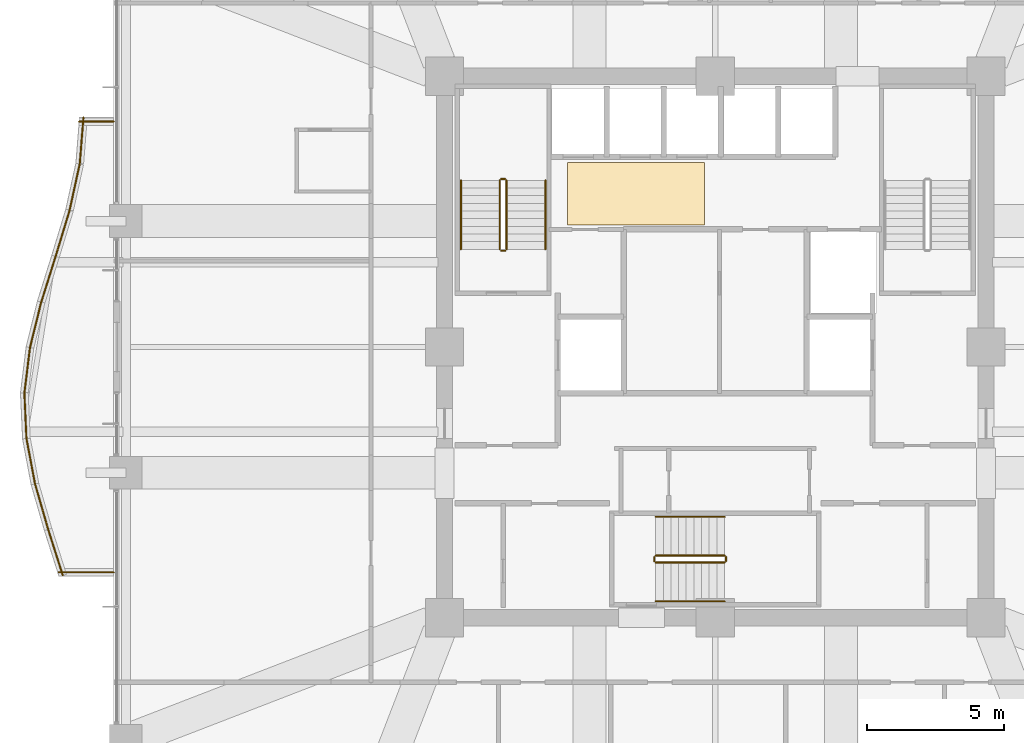
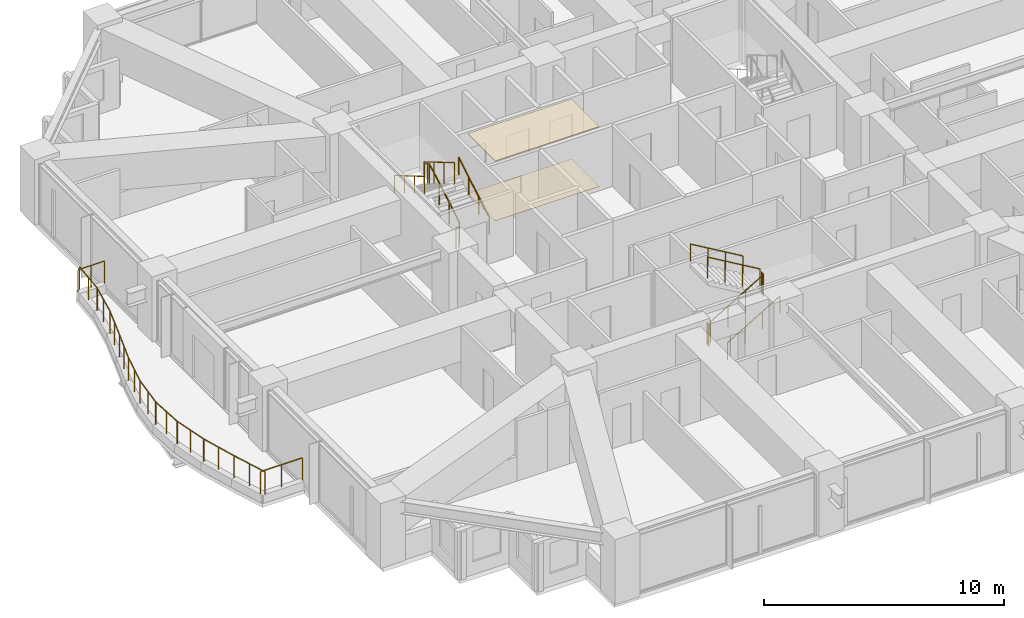
# One storey, part 38 of 39: 24 railings, 2 coverings.
"""IFC4 building model written with IfcOpenShell, lengths in metres."""

from ifc_helpers import new_model, si_unit, direction, frame, origin, origin_2d, place, context, subcontext, project, spatial, polyline, circle, outline, extrude, material, layer, layer_set, type_object, element, save


model = new_model("IFC4")

# Units and contexts
model_context = context("Model", 3, precision=1e-05, world=origin(), true_north=direction((0.0, 1.0)))
body_context = subcontext(model_context, "Body", "Model", "MODEL_VIEW")
ifc_project = project(units=[si_unit("LENGTHUNIT", "METRE"), si_unit("AREAUNIT", "SQUARE_METRE"), si_unit("VOLUMEUNIT", "CUBIC_METRE"), si_unit("PLANEANGLEUNIT", "RADIAN"), si_unit("MASSUNIT", "GRAM", prefix="KILO")], contexts=[model_context])

# Site, building, storey
site_placement = place(None, origin())
site = spatial("IfcSite", under=ifc_project, at=site_placement, CompositionType="ELEMENT")
building_placement = place(site_placement, origin())
building = spatial("IfcBuilding", under=site, at=building_placement, Name="Kolvaren Belvedere", CompositionType="ELEMENT")
storey_placement = place(building_placement, frame((0.0, 0.0, 40.300048828125)))
storey = spatial("IfcBuildingStorey", under=building, at=storey_placement, Name="L11", CompositionType="ELEMENT", Elevation=40.300048828125)

# Coverings
ifc_material_1 = material(Name="Acoustic perforated gypsum board", Category="gypsum")
ifc_layer_1 = layer(ifc_material_1, 0.02490234375)
ifc_layer_set_1 = layer_set([ifc_layer_1], Name="Acoustic perforated gypsum board")
covering_type_1 = type_object("IfcCoveringType", Name="COV-CEIL-GYP", PredefinedType="CEILING", material=ifc_layer_set_1)
covering_1_placement = place(storey_placement, frame((0.0, 0.0, 3.034912109375)))
element("IfcCovering", 1, at=covering_1_placement, inside=storey, type_object=covering_type_1, Name="L11 Lift Lobby Acoustic Baffle Ceiling", PredefinedType="CEILING", context=body_context, shape_type="SweptSolid", body=[
    extrude(outline(polyline([(-5.39990234375, 4.449951171875), (-0.39990234375, 4.449951171875), (-0.39990234375, 6.75), (-5.39990234375, 6.75), (-5.39990234375, 4.449951171875)])), origin(), (0.0, 0.0, 1.0), 0.025146484375),
])
ifc_material_2 = material(Name="Engineered Pacific white oak", Category="timber")
ifc_layer_2 = layer(ifc_material_2, 0.02001953125)
ifc_layer_set_2 = layer_set([ifc_layer_2], Name="Engineered Pacific white oak")
covering_type_2 = type_object("IfcCoveringType", Name="COV-FLR-OAK", PredefinedType="FLOORING", material=ifc_layer_set_2)
covering_2_placement = place(storey_placement, origin())
element("IfcCovering", 2, at=covering_2_placement, inside=storey, type_object=covering_type_2, Name="L11 Lift Lobby Finish Flooring", PredefinedType="FLOORING", context=body_context, shape_type="SweptSolid", body=[
    extrude(outline(polyline([(-5.39990234375, 4.449951171875), (-0.39990234375, 4.449951171875), (-0.39990234375, 6.75), (-5.39990234375, 6.75), (-5.39990234375, 4.449951171875)])), origin(), (0.0, 0.0, 1.0), 0.02001953125),
])

# Railings
ifc_material_3 = material(Name="Anodised pale-metal aluminium & laminated glass guard", Category="aluminium")
railing_type_1 = type_object("IfcRailingType", Name="RL-GUARD-1150", PredefinedType="GUARDRAIL", material=ifc_material_3)
railing_1_placement = place(storey_placement, frame((-23.1005859375, 8.38720703125, 0.35986328125)))
element("IfcRailing", 3, at=railing_1_placement, inside=storey, type_object=railing_type_1, Name="L11 Exterior Deck Safety Guard BAL-W-1", PredefinedType="GUARDRAIL", context=body_context, shape_type="SweptSolid", body=[
    extrude(circle(Radius=0.02392578125, at=origin_2d()), frame((0.0, 0.0, 1.1259765625), z_axis=(-0.079244268248, -0.99685522818, 0.0), x_axis=(0.99685522818, -0.079244268248, 0.0)), (0.0, 0.0, 1.0), 1.685302734375),
    extrude(circle(Radius=0.02099609375, at=origin_2d()), origin(), (0.0, 0.0, 1.0), 1.101806640625),
    extrude(circle(Radius=0.02099609375, at=origin_2d()), frame((-0.06689453125, -0.83984375, 0.0)), (0.0, 0.0, 1.0), 1.101806640625),
    extrude(circle(Radius=0.02099609375, at=origin_2d()), frame((-0.133544921875, -1.679931640625, 0.0)), (0.0, 0.0, 1.0), 1.101806640625),
])
railing_2_placement = place(storey_placement, frame((-23.2373046875, 6.685791015625, 0.35986328125)))
element("IfcRailing", 4, at=railing_2_placement, inside=storey, type_object=railing_type_1, Name="L11 Exterior Deck Safety Guard BAL-W-2", PredefinedType="GUARDRAIL", context=body_context, shape_type="SweptSolid", body=[
    extrude(circle(Radius=0.02392578125, at=origin_2d()), frame((0.0, 0.0, 1.1259765625), z_axis=(-0.213802724545, -0.976876857632, 0.0), x_axis=(0.976876857632, -0.213802724545, 0.0)), (0.0, 0.0, 1.0), 1.7197265625),
    extrude(circle(Radius=0.02099609375, at=origin_2d()), origin(), (0.0, 0.0, 1.0), 1.101806640625),
    extrude(circle(Radius=0.02099609375, at=origin_2d()), frame((-0.183837890625, -0.83984375, 0.0)), (0.0, 0.0, 1.0), 1.101806640625),
    extrude(circle(Radius=0.02099609375, at=origin_2d()), frame((-0.36767578125, -1.679931640625, 0.0)), (0.0, 0.0, 1.0), 1.101806640625),
])
railing_3_placement = place(storey_placement, frame((-23.608154296875, 4.993408203125, 0.35986328125)))
element("IfcRailing", 5, at=railing_3_placement, inside=storey, type_object=railing_type_1, Name="L11 Exterior Deck Safety Guard BAL-W-3", PredefinedType="GUARDRAIL", context=body_context, shape_type="SweptSolid", body=[
    extrude(circle(Radius=0.02392578125, at=origin_2d()), frame((0.0, 0.0, 1.1259765625), z_axis=(-0.291006697567, -0.956721015747, 0.0), x_axis=(0.956721015747, -0.291006697567, 0.0)), (0.0, 0.0, 1.0), 1.755859375),
    extrude(circle(Radius=0.02099609375, at=origin_2d()), origin(), (0.0, 0.0, 1.0), 1.101806640625),
    extrude(circle(Radius=0.02099609375, at=origin_2d()), frame((-0.25537109375, -0.83984375, 0.0)), (0.0, 0.0, 1.0), 1.101806640625),
    extrude(circle(Radius=0.02099609375, at=origin_2d()), frame((-0.510986328125, -1.679931640625, 0.0)), (0.0, 0.0, 1.0), 1.101806640625),
])
railing_4_placement = place(storey_placement, frame((-24.11962890625, 3.31201171875, 0.35986328125)))
element("IfcRailing", 6, at=railing_4_placement, inside=storey, type_object=railing_type_1, Name="L11 Exterior Deck Safety Guard BAL-W-4", PredefinedType="GUARDRAIL", context=body_context, shape_type="SweptSolid", body=[
    extrude(circle(Radius=0.02392578125, at=origin_2d()), frame((0.0, 0.0, 1.1259765625), z_axis=(-0.299624691176, -0.954057149461, 0.0), x_axis=(0.954057149461, -0.299624691176, 0.0)), (0.0, 0.0, 1.0), 1.7607421875),
    extrude(circle(Radius=0.02099609375, at=origin_2d()), origin(), (0.0, 0.0, 1.0), 1.101806640625),
    extrude(circle(Radius=0.02099609375, at=origin_2d()), frame((-0.263671875, -0.83984375, 0.0)), (0.0, 0.0, 1.0), 1.101806640625),
    extrude(circle(Radius=0.02099609375, at=origin_2d()), frame((-0.527587890625, -1.679931640625, 0.0)), (0.0, 0.0, 1.0), 1.101806640625),
])
railing_5_placement = place(storey_placement, frame((-24.644287109375, 1.6416015625, 0.35986328125)))
element("IfcRailing", 7, at=railing_5_placement, inside=storey, type_object=railing_type_1, Name="L11 Exterior Deck Safety Guard BAL-W-5", PredefinedType="GUARDRAIL", context=body_context, shape_type="SweptSolid", body=[
    extrude(circle(Radius=0.02392578125, at=origin_2d()), frame((0.0, 0.0, 1.1259765625), z_axis=(-0.23931377861, -0.970942282202, 0.0), x_axis=(0.970942282202, -0.23931377861, 0.0)), (0.0, 0.0, 1.0), 1.730224609375),
    extrude(circle(Radius=0.02099609375, at=origin_2d()), origin(), (0.0, 0.0, 1.0), 1.101806640625),
    extrude(circle(Radius=0.02099609375, at=origin_2d()), frame((-0.20703125, -0.83984375, 0.0)), (0.0, 0.0, 1.0), 1.101806640625),
    extrude(circle(Radius=0.02099609375, at=origin_2d()), frame((-0.4140625, -1.679931640625, 0.0)), (0.0, 0.0, 1.0), 1.101806640625),
])
railing_6_placement = place(storey_placement, frame((-25.054931640625, -0.01953125, 0.35986328125)))
element("IfcRailing", 8, at=railing_6_placement, inside=storey, type_object=railing_type_1, Name="L11 Exterior Deck Safety Guard BAL-W-6", PredefinedType="GUARDRAIL", context=body_context, shape_type="SweptSolid", body=[
    extrude(circle(Radius=0.02392578125, at=origin_2d()), frame((0.0, 0.0, 1.1259765625), z_axis=(-0.121886315522, -0.99254406758, 0.0), x_axis=(0.99254406758, -0.121886315522, 0.0)), (0.0, 0.0, 1.0), 1.692626953125),
    extrude(circle(Radius=0.02099609375, at=origin_2d()), origin(), (0.0, 0.0, 1.0), 1.101806640625),
    extrude(circle(Radius=0.02099609375, at=origin_2d()), frame((-0.10302734375, -0.83984375, 0.0)), (0.0, 0.0, 1.0), 1.101806640625),
    extrude(circle(Radius=0.02099609375, at=origin_2d()), frame((-0.206298828125, -1.679931640625, 0.0)), (0.0, 0.0, 1.0), 1.101806640625),
])
railing_7_placement = place(storey_placement, frame((-25.26025390625, -1.6728515625, 0.35986328125)))
element("IfcRailing", 9, at=railing_7_placement, inside=storey, type_object=railing_type_1, Name="L11 Exterior Deck Safety Guard BAL-W-7", PredefinedType="GUARDRAIL", context=body_context, shape_type="SweptSolid", body=[
    extrude(circle(Radius=0.02392578125, at=origin_2d()), frame((0.0, 0.0, 1.1259765625), z_axis=(0.045150826395, -0.998980181423, 0.0), x_axis=(0.998980181423, 0.045150826395, 0.0)), (0.0, 0.0, 1.0), 1.681640625),
    extrude(circle(Radius=0.02099609375, at=origin_2d()), origin(), (0.0, 0.0, 1.0), 1.101806640625),
    extrude(circle(Radius=0.02099609375, at=origin_2d()), frame((0.0380859375, -0.83984375, 0.0)), (0.0, 0.0, 1.0), 1.101806640625),
    extrude(circle(Radius=0.02099609375, at=origin_2d()), frame((0.075927734375, -1.679931640625, 0.0)), (0.0, 0.0, 1.0), 1.101806640625),
])
railing_8_placement = place(storey_placement, frame((-25.18701171875, -3.330322265625, 0.35986328125)))
element("IfcRailing", 10, at=railing_8_placement, inside=storey, type_object=railing_type_1, Name="L11 Exterior Deck Safety Guard BAL-W-8", PredefinedType="GUARDRAIL", context=body_context, shape_type="SweptSolid", body=[
    extrude(circle(Radius=0.02392578125, at=origin_2d()), frame((0.0, 0.0, 1.1259765625), z_axis=(0.184788595231, -0.982778293957, 0.0), x_axis=(0.982778293957, 0.184788595231, 0.0)), (0.0, 0.0, 1.0), 1.709716796875),
    extrude(circle(Radius=0.02099609375, at=origin_2d()), origin(), (0.0, 0.0, 1.0), 1.101806640625),
    extrude(circle(Radius=0.02099609375, at=origin_2d()), frame((0.157958984375, -0.840087890625, 0.0)), (0.0, 0.0, 1.0), 1.101806640625),
    extrude(circle(Radius=0.02099609375, at=origin_2d()), frame((0.31591796875, -1.68017578125, 0.0)), (0.0, 0.0, 1.0), 1.101806640625),
])
railing_9_placement = place(storey_placement, frame((-24.874755859375, -4.99560546875, 0.35986328125)))
element("IfcRailing", 11, at=railing_9_placement, inside=storey, type_object=railing_type_1, Name="L11 Exterior Deck Safety Guard BAL-W-9", PredefinedType="GUARDRAIL", context=body_context, shape_type="SweptSolid", body=[
    extrude(circle(Radius=0.02392578125, at=origin_2d()), frame((0.0, 0.0, 1.1259765625), z_axis=(0.277946215201, -0.96059663827, 0.0), x_axis=(0.96059663827, 0.277946215201, 0.0)), (0.0, 0.0, 1.0), 1.748779296875),
    extrude(circle(Radius=0.02099609375, at=origin_2d()), origin(), (0.0, 0.0, 1.0), 1.101806640625),
    extrude(circle(Radius=0.02099609375, at=origin_2d()), frame((0.2431640625, -0.83984375, 0.0)), (0.0, 0.0, 1.0), 1.101806640625),
    extrude(circle(Radius=0.02099609375, at=origin_2d()), frame((0.486083984375, -1.679931640625, 0.0)), (0.0, 0.0, 1.0), 1.101806640625),
])
railing_10_placement = place(storey_placement, frame((-24.389892578125, -6.67138671875, 0.35986328125)))
element("IfcRailing", 12, at=railing_10_placement, inside=storey, type_object=railing_type_1, Name="L11 Exterior Deck Safety Guard BAL-W-10", PredefinedType="GUARDRAIL", context=body_context, shape_type="SweptSolid", body=[
    extrude(circle(Radius=0.02392578125, at=origin_2d()), frame((0.0, 0.0, 1.1259765625), z_axis=(0.303906495014, -0.952701864325, 0.0), x_axis=(0.952701864325, 0.303906495014, 0.0)), (0.0, 0.0, 1.0), 1.763427734375),
    extrude(circle(Radius=0.02099609375, at=origin_2d()), origin(), (0.0, 0.0, 1.0), 1.101806640625),
    extrude(circle(Radius=0.02099609375, at=origin_2d()), frame((0.26806640625, -0.83984375, 0.0)), (0.0, 0.0, 1.0), 1.101806640625),
    extrude(circle(Radius=0.02099609375, at=origin_2d()), frame((0.535888671875, -1.679931640625, 0.0)), (0.0, 0.0, 1.0), 1.101806640625),
])
railing_11_placement = place(storey_placement, frame((-24.00634765625, -8.239990234375, 0.35986328125)))
element("IfcRailing", 13, at=railing_11_placement, inside=storey, type_object=railing_type_1, Name="L11 Exterior Deck Safety Guard BAL-W-11", PredefinedType="GUARDRAIL", context=body_context, shape_type="SweptSolid", body=[
    extrude(circle(Radius=0.02392578125, at=origin_2d()), frame((0.0, 0.0, 1.1259765625), z_axis=(1.0, 0.0, 0.0), x_axis=(0.0, 1.0, 0.0)), (0.0, 0.0, 1.0), 2.00634765625),
    extrude(circle(Radius=0.02099609375, at=origin_2d()), origin(), (0.0, 0.0, 1.0), 1.101806640625),
    extrude(circle(Radius=0.02099609375, at=origin_2d()), frame((1.003173828125, 0.0, 0.0)), (0.0, 0.0, 1.0), 1.101806640625),
    extrude(circle(Radius=0.02099609375, at=origin_2d()), frame((2.00634765625, 0.0, 0.0)), (0.0, 0.0, 1.0), 1.101806640625),
])
railing_12_placement = place(storey_placement, frame((-22.0, 8.239990234375, 0.35986328125)))
element("IfcRailing", 14, at=railing_12_placement, inside=storey, type_object=railing_type_1, Name="L11 Exterior Deck Safety Guard BAL-W-22", PredefinedType="GUARDRAIL", context=body_context, shape_type="SweptSolid", body=[
    extrude(circle(Radius=0.02392578125, at=origin_2d()), frame((0.0, 0.0, 1.1259765625), z_axis=(-1.0, 0.0, 0.0), x_axis=(0.0, -1.0, 0.0)), (0.0, 0.0, 1.0), 1.260009765625),
    extrude(circle(Radius=0.02099609375, at=origin_2d()), origin(), (0.0, 0.0, 1.0), 1.101806640625),
    extrude(circle(Radius=0.02099609375, at=origin_2d()), frame((-0.6298828125, 0.0, 0.0)), (0.0, 0.0, 1.0), 1.101806640625),
    extrude(circle(Radius=0.02099609375, at=origin_2d()), frame((-1.260009765625, 0.0, 0.0)), (0.0, 0.0, 1.0), 1.101806640625),
])
ifc_material_4 = material(Name="Brushed stainless-steel handrail", Category="steel")
railing_type_2 = type_object("IfcRailingType", Name="RL-HANDRAIL-920", PredefinedType="HANDRAIL", material=ifc_material_4)
railing_13_placement = place(storey_placement, frame((-6.2099609375, 3.570068359375, 0.1650390625)))
element("IfcRailing", 15, at=railing_13_placement, inside=storey, type_object=railing_type_2, Name="L11 ST-1 stair handrail 1", PredefinedType="HANDRAIL", context=body_context, shape_type="SweptSolid", body=[
    extrude(circle(Radius=0.02392578125, at=origin_2d()), frame((0.0, 0.0, 0.8759765625), z_axis=(0.0, 0.861560626758, 0.507654692109), x_axis=(-1.0, 0.0, 0.0)), (0.0, 0.0, 1.0), 2.925048828125),
    extrude(circle(Radius=0.02099609375, at=origin_2d()), origin(), (0.0, 0.0, 1.0), 0.851806640625),
    extrude(circle(Radius=0.02099609375, at=origin_2d()), frame((0.0, 0.840087890625, 0.494873046875)), (0.0, 0.0, 1.0), 0.851806640625),
    extrude(circle(Radius=0.02099609375, at=origin_2d()), frame((0.0, 1.679931640625, 0.989990234375)), (0.0, 0.0, 1.0), 0.851806640625),
    extrude(circle(Radius=0.02099609375, at=origin_2d()), frame((0.0, 2.52001953125, 1.48486328125)), (0.0, 0.0, 1.0), 0.851806640625),
])
railing_14_placement = place(storey_placement, frame((-9.300048828125, 6.090087890625, 1.81494140625)))
element("IfcRailing", 16, at=railing_14_placement, inside=storey, type_object=railing_type_2, Name="L11 ST-1 stair handrail 2", PredefinedType="HANDRAIL", context=body_context, shape_type="SweptSolid", body=[
    extrude(circle(Radius=0.02392578125, at=origin_2d()), frame((0.0, 0.0, 0.8759765625), z_axis=(0.0, -0.86152411907, 0.507716645641), x_axis=(1.0, 0.0, 0.0)), (0.0, 0.0, 1.0), 2.925048828125),
    extrude(circle(Radius=0.02099609375, at=origin_2d()), origin(), (0.0, 0.0, 1.0), 0.851806640625),
    extrude(circle(Radius=0.02099609375, at=origin_2d()), frame((0.0, -0.840087890625, 0.4951171875)), (0.0, 0.0, 1.0), 0.851806640625),
    extrude(circle(Radius=0.02099609375, at=origin_2d()), frame((0.0, -1.679931640625, 0.989990234375)), (0.0, 0.0, 1.0), 0.851806640625),
    extrude(circle(Radius=0.02099609375, at=origin_2d()), frame((0.0, -2.52001953125, 1.485107421875)), (0.0, 0.0, 1.0), 0.851806640625),
])
railing_15_placement = place(storey_placement, frame((-2.179931640625, -9.300048828125, 0.1650390625)))
element("IfcRailing", 17, at=railing_15_placement, inside=storey, type_object=railing_type_2, Name="L11 ST-3 stair handrail 1", PredefinedType="HANDRAIL", context=body_context, shape_type="SweptSolid", body=[
    extrude(circle(Radius=0.02392578125, at=origin_2d()), frame((0.0, 0.0, 0.8759765625), z_axis=(0.861560626758, 0.0, 0.507654692109), x_axis=(0.0, 1.0, 0.0)), (0.0, 0.0, 1.0), 2.925048828125),
    extrude(circle(Radius=0.02099609375, at=origin_2d()), origin(), (0.0, 0.0, 1.0), 0.851806640625),
    extrude(circle(Radius=0.02099609375, at=origin_2d()), frame((0.840087890625, 0.0, 0.494873046875)), (0.0, 0.0, 1.0), 0.851806640625),
    extrude(circle(Radius=0.02099609375, at=origin_2d()), frame((1.679931640625, 0.0, 0.989990234375)), (0.0, 0.0, 1.0), 0.851806640625),
    extrude(circle(Radius=0.02099609375, at=origin_2d()), frame((2.52001953125, 0.0, 1.48486328125)), (0.0, 0.0, 1.0), 0.851806640625),
])
railing_16_placement = place(storey_placement, frame((0.340087890625, -6.2099609375, 1.81494140625)))
element("IfcRailing", 18, at=railing_16_placement, inside=storey, type_object=railing_type_2, Name="L11 ST-3 stair handrail 2", PredefinedType="HANDRAIL", context=body_context, shape_type="SweptSolid", body=[
    extrude(circle(Radius=0.02392578125, at=origin_2d()), frame((0.0, 0.0, 0.8759765625), z_axis=(-0.86152411907, 0.0, 0.507716645641), x_axis=(0.0, -1.0, 0.0)), (0.0, 0.0, 1.0), 2.925048828125),
    extrude(circle(Radius=0.02099609375, at=origin_2d()), origin(), (0.0, 0.0, 1.0), 0.851806640625),
    extrude(circle(Radius=0.02099609375, at=origin_2d()), frame((-0.840087890625, 0.0, 0.4951171875)), (0.0, 0.0, 1.0), 0.851806640625),
    extrude(circle(Radius=0.02099609375, at=origin_2d()), frame((-1.679931640625, 0.0, 0.989990234375)), (0.0, 0.0, 1.0), 0.851806640625),
    extrude(circle(Radius=0.02099609375, at=origin_2d()), frame((-2.52001953125, 0.0, 1.485107421875)), (0.0, 0.0, 1.0), 0.851806640625),
])
ifc_material_5 = material(Name="Painted tubular steel stair guard", Category="steel")
railing_type_3 = type_object("IfcRailingType", Name="RL-STGUARD-1100", PredefinedType="GUARDRAIL", material=ifc_material_5)
railing_17_placement = place(storey_placement, frame((-7.6298828125, 3.570068359375, 0.1650390625)))
element("IfcRailing", 19, at=railing_17_placement, inside=storey, type_object=railing_type_3, Name="L11 ST-1 stair guard 1", PredefinedType="GUARDRAIL", context=body_context, shape_type="SweptSolid", body=[
    extrude(circle(Radius=0.02392578125, at=origin_2d()), frame((0.0, 0.0, 1.076171875), z_axis=(0.0, 0.861560626758, 0.507654692109), x_axis=(-1.0, 0.0, 0.0)), (0.0, 0.0, 1.0), 2.925048828125),
    extrude(circle(Radius=0.02099609375, at=origin_2d()), origin(), (0.0, 0.0, 1.0), 1.052001953125),
    extrude(circle(Radius=0.02099609375, at=origin_2d()), frame((0.0, 0.840087890625, 0.494873046875)), (0.0, 0.0, 1.0), 1.052001953125),
    extrude(circle(Radius=0.02099609375, at=origin_2d()), frame((0.0, 1.679931640625, 0.989990234375)), (0.0, 0.0, 1.0), 1.052001953125),
    extrude(circle(Radius=0.02099609375, at=origin_2d()), frame((0.0, 2.52001953125, 1.48486328125)), (0.0, 0.0, 1.0), 1.052001953125),
])
railing_18_placement = place(storey_placement, frame((-7.679931640625, 6.139892578125, 1.64990234375)))
element("IfcRailing", 20, at=railing_18_placement, inside=storey, type_object=railing_type_3, Name="L11 ST-1 stair guard 2", PredefinedType="GUARDRAIL", context=body_context, shape_type="SweptSolid", body=[
    extrude(circle(Radius=0.02392578125, at=origin_2d()), frame((0.0, 0.0, 1.076171875), z_axis=(-1.0, 0.0, 0.0), x_axis=(0.0, -1.0, 0.0)), (0.0, 0.0, 1.0), 0.150146484375),
    extrude(circle(Radius=0.02099609375, at=origin_2d()), origin(), (0.0, 0.0, 1.0), 1.052001953125),
    extrude(circle(Radius=0.02099609375, at=origin_2d()), frame((-0.150146484375, 0.0, 0.0)), (0.0, 0.0, 1.0), 1.052001953125),
])
railing_19_placement = place(storey_placement, frame((-7.8798828125, 6.090087890625, 1.81494140625)))
element("IfcRailing", 21, at=railing_19_placement, inside=storey, type_object=railing_type_3, Name="L11 ST-1 stair guard 3", PredefinedType="GUARDRAIL", context=body_context, shape_type="SweptSolid", body=[
    extrude(circle(Radius=0.02392578125, at=origin_2d()), frame((0.0, 0.0, 1.076171875), z_axis=(0.0, -0.86152411907, 0.507716645641), x_axis=(1.0, 0.0, 0.0)), (0.0, 0.0, 1.0), 2.925048828125),
    extrude(circle(Radius=0.02099609375, at=origin_2d()), origin(), (0.0, 0.0, 1.0), 1.052001953125),
    extrude(circle(Radius=0.02099609375, at=origin_2d()), frame((0.0, -0.840087890625, 0.4951171875)), (0.0, 0.0, 1.0), 1.052001953125),
    extrude(circle(Radius=0.02099609375, at=origin_2d()), frame((0.0, -1.679931640625, 0.989990234375)), (0.0, 0.0, 1.0), 1.052001953125),
    extrude(circle(Radius=0.02099609375, at=origin_2d()), frame((0.0, -2.52001953125, 1.485107421875)), (0.0, 0.0, 1.0), 1.052001953125),
])
railing_20_placement = place(storey_placement, frame((-7.679931640625, 3.52001953125, 0.0)))
element("IfcRailing", 22, at=railing_20_placement, inside=storey, type_object=railing_type_3, Name="L11 ST-1 stair guard 4", PredefinedType="GUARDRAIL", context=body_context, shape_type="SweptSolid", body=[
    extrude(circle(Radius=0.02392578125, at=origin_2d()), frame((0.0, 0.0, 1.076171875), z_axis=(-1.0, 0.0, 0.0), x_axis=(0.0, -1.0, 0.0)), (0.0, 0.0, 1.0), 0.150146484375),
    extrude(circle(Radius=0.02099609375, at=origin_2d()), origin(), (0.0, 0.0, 1.0), 1.052001953125),
    extrude(circle(Radius=0.02099609375, at=origin_2d()), frame((-0.150146484375, 0.0, 0.0)), (0.0, 0.0, 1.0), 1.052001953125),
])
railing_21_placement = place(storey_placement, frame((-2.179931640625, -7.8798828125, 0.1650390625)))
element("IfcRailing", 23, at=railing_21_placement, inside=storey, type_object=railing_type_3, Name="L11 ST-3 stair guard 1", PredefinedType="GUARDRAIL", context=body_context, shape_type="SweptSolid", body=[
    extrude(circle(Radius=0.02392578125, at=origin_2d()), frame((0.0, 0.0, 1.076171875), z_axis=(0.861560626758, 0.0, 0.507654692109), x_axis=(0.0, 1.0, 0.0)), (0.0, 0.0, 1.0), 2.925048828125),
    extrude(circle(Radius=0.02099609375, at=origin_2d()), origin(), (0.0, 0.0, 1.0), 1.052001953125),
    extrude(circle(Radius=0.02099609375, at=origin_2d()), frame((0.840087890625, 0.0, 0.494873046875)), (0.0, 0.0, 1.0), 1.052001953125),
    extrude(circle(Radius=0.02099609375, at=origin_2d()), frame((1.679931640625, 0.0, 0.989990234375)), (0.0, 0.0, 1.0), 1.052001953125),
    extrude(circle(Radius=0.02099609375, at=origin_2d()), frame((2.52001953125, 0.0, 1.48486328125)), (0.0, 0.0, 1.0), 1.052001953125),
])
railing_22_placement = place(storey_placement, frame((0.389892578125, -7.830078125, 1.64990234375)))
element("IfcRailing", 24, at=railing_22_placement, inside=storey, type_object=railing_type_3, Name="L11 ST-3 stair guard 2", PredefinedType="GUARDRAIL", context=body_context, shape_type="SweptSolid", body=[
    extrude(circle(Radius=0.02392578125, at=origin_2d()), frame((0.0, 0.0, 1.076171875), z_axis=(0.0, 1.0, 0.0), x_axis=(-1.0, 0.0, 0.0)), (0.0, 0.0, 1.0), 0.150146484375),
    extrude(circle(Radius=0.02099609375, at=origin_2d()), origin(), (0.0, 0.0, 1.0), 1.052001953125),
    extrude(circle(Radius=0.02099609375, at=origin_2d()), frame((0.0, 0.150146484375, 0.0)), (0.0, 0.0, 1.0), 1.052001953125),
])
railing_23_placement = place(storey_placement, frame((0.340087890625, -7.6298828125, 1.81494140625)))
element("IfcRailing", 25, at=railing_23_placement, inside=storey, type_object=railing_type_3, Name="L11 ST-3 stair guard 3", PredefinedType="GUARDRAIL", context=body_context, shape_type="SweptSolid", body=[
    extrude(circle(Radius=0.02392578125, at=origin_2d()), frame((0.0, 0.0, 1.076171875), z_axis=(-0.86152411907, 0.0, 0.507716645641), x_axis=(0.0, -1.0, 0.0)), (0.0, 0.0, 1.0), 2.925048828125),
    extrude(circle(Radius=0.02099609375, at=origin_2d()), origin(), (0.0, 0.0, 1.0), 1.052001953125),
    extrude(circle(Radius=0.02099609375, at=origin_2d()), frame((-0.840087890625, 0.0, 0.4951171875)), (0.0, 0.0, 1.0), 1.052001953125),
    extrude(circle(Radius=0.02099609375, at=origin_2d()), frame((-1.679931640625, 0.0, 0.989990234375)), (0.0, 0.0, 1.0), 1.052001953125),
    extrude(circle(Radius=0.02099609375, at=origin_2d()), frame((-2.52001953125, 0.0, 1.485107421875)), (0.0, 0.0, 1.0), 1.052001953125),
])
railing_24_placement = place(storey_placement, frame((-2.22998046875, -7.830078125, 0.0)))
element("IfcRailing", 26, at=railing_24_placement, inside=storey, type_object=railing_type_3, Name="L11 ST-3 stair guard 4", PredefinedType="GUARDRAIL", context=body_context, shape_type="SweptSolid", body=[
    extrude(circle(Radius=0.02392578125, at=origin_2d()), frame((0.0, 0.0, 1.076171875), z_axis=(0.0, 1.0, 0.0), x_axis=(-1.0, 0.0, 0.0)), (0.0, 0.0, 1.0), 0.150146484375),
    extrude(circle(Radius=0.02099609375, at=origin_2d()), origin(), (0.0, 0.0, 1.0), 1.052001953125),
    extrude(circle(Radius=0.02099609375, at=origin_2d()), frame((0.0, 0.150146484375, 0.0)), (0.0, 0.0, 1.0), 1.052001953125),
])

save(model, "model.ifc")
